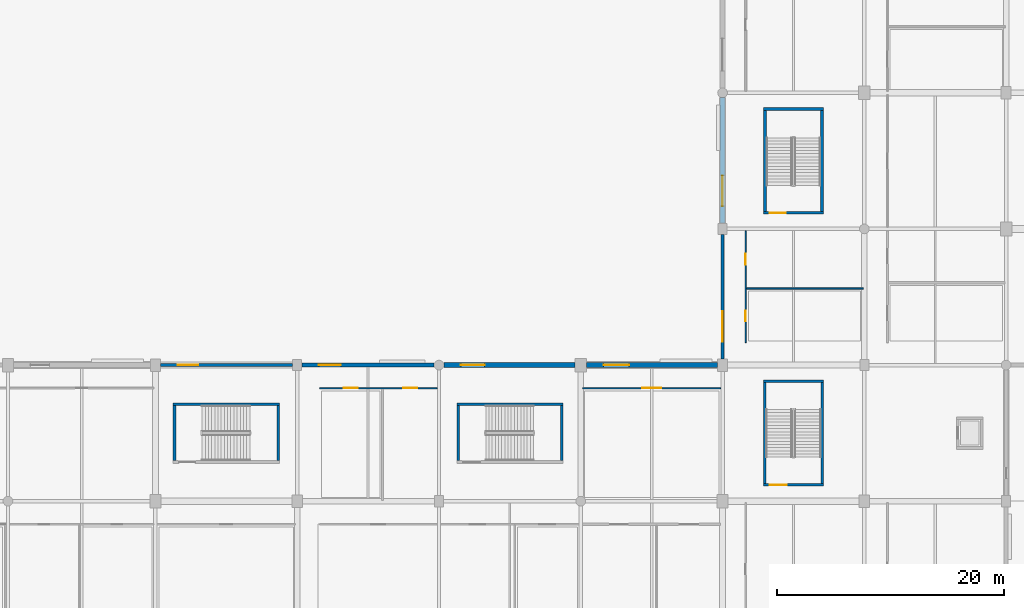
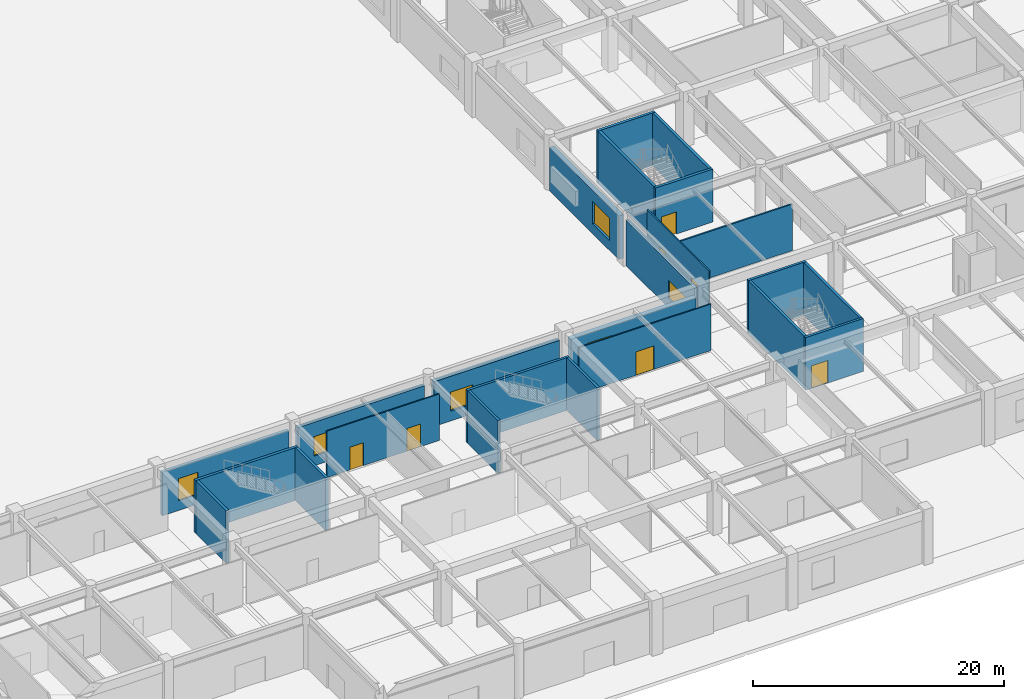
# One storey, part 23 of 69: 24 walls, 7 doors, 6 windows, 13 openings.
"""IFC4 building model written with IfcOpenShell, lengths in metres."""

from ifc_helpers import new_model, si_unit, direction, frame, frame_2d, origin, place, context, subcontext, project, spatial, rectangle, extrude, material, layer, layer_set, type_object, element, fill, save


model = new_model("IFC4")

# Units and contexts
model_context = context("Model", 3, precision=1e-05, world=origin(), true_north=direction((0.0, 1.0)))
body_context = subcontext(model_context, "Body", "Model", "MODEL_VIEW")
ifc_project = project(units=[si_unit("LENGTHUNIT", "METRE"), si_unit("AREAUNIT", "SQUARE_METRE"), si_unit("VOLUMEUNIT", "CUBIC_METRE"), si_unit("PLANEANGLEUNIT", "RADIAN"), si_unit("MASSUNIT", "GRAM", prefix="KILO")], contexts=[model_context])

# Site, building, storey
site_placement = place(None, origin())
site = spatial("IfcSite", under=ifc_project, at=site_placement, CompositionType="ELEMENT")
building_placement = place(site_placement, origin())
building = spatial("IfcBuilding", under=site, at=building_placement, Name="Kazenohara Klinker Stadium", CompositionType="ELEMENT")
storey_placement = place(building_placement, origin())
storey = spatial("IfcBuildingStorey", under=building, at=storey_placement, Name="L00", CompositionType="ELEMENT", Elevation=0.0)

# Wall, opening, door
ifc_material_1 = material(Name="Concrete C40/50", Category="concrete")
ifc_layer_1 = layer(ifc_material_1, 0.22998046875)
ifc_layer_set_1 = layer_set([ifc_layer_1], Name="Concrete C40/50")
wall_type_1 = type_object("IfcWallType", Name="WAL-CORE-230", PredefinedType="SHEAR", material=ifc_layer_set_1)
wall_1_placement = place(storey_placement, frame((178.590087890625, 25.43505859375, 0.0), z_axis=(0.0, 0.0, 1.0), x_axis=(1.0, 0.0, 0.0)))
wall_1 = element("IfcWall", 1, at=wall_1_placement, inside=storey, type_object=wall_type_1, Name="Stairwell shear wall ST16 L00 South", PredefinedType="SHEAR", context=body_context, shape_type="SweptSolid", body=[
    extrude(rectangle(XDim=5.31982421875, YDim=0.22998046875, at=frame_2d((2.659912109375, 0.0))), origin(), (0.0, 0.0, 1.0), 5.139892578125),
])
opening_1_placement = place(wall_1_placement, frame((0.550048828125, 0.0, 0.0)))
opening_1 = element("IfcOpeningElement", 2, at=opening_1_placement, cuts=wall_1, Name="Opening SD02", PredefinedType="OPENING", context=body_context, shape_type="SweptSolid", body=[
    extrude(rectangle(XDim=1.5, YDim=2.199951171875, at=frame_2d((0.75, 1.10009765625))), frame((0.0, 0.125, 0.0), z_axis=(0.0, -1.0, 0.0), x_axis=(1.0, 0.0, 0.0)), (0.0, 0.0, 1.0), 0.25),
])
ifc_material_2 = material(Name="Flush painted steel fire door leaf", Category="steel")
door_type_1 = type_object("IfcDoorType", Name="DR-STR-1500x2200", OperationType="NOTDEFINED", PredefinedType="DOOR", material=ifc_material_2)
door_1_placement = place(opening_1_placement, origin())
door_1 = element("IfcDoor", 3, at=door_1_placement, inside=storey, type_object=door_type_1, Name="Escape stairwell fire door ST16-L00", OperationType="SINGLE_SWING_LEFT", OverallHeight=2.199951171875, OverallWidth=1.5, PredefinedType="DOOR", context=body_context, shape_type="SweptSolid", body=[
    extrude(rectangle(XDim=1.5, YDim=2.199951171875, at=frame_2d((0.75, 1.10009765625))), frame((0.0, 0.02490234375, 0.0), z_axis=(0.0, -1.0, 0.0), x_axis=(1.0, 0.0, 0.0)), (0.0, 0.0, 1.0), 0.050048828125),
])
fill(opening_1, door_1)

# Walls
wall_2_placement = place(storey_placement, frame((178.590087890625, 34.56494140625, 0.0), z_axis=(0.0, 0.0, 1.0), x_axis=(1.0, 0.0, 0.0)))
element("IfcWall", 4, at=wall_2_placement, inside=storey, type_object=wall_type_1, Name="Stairwell shear wall ST16 L00 North", PredefinedType="SHEAR", context=body_context, shape_type="SweptSolid", body=[
    extrude(rectangle(XDim=5.31982421875, YDim=0.22998046875, at=frame_2d((2.659912109375, 0.0))), origin(), (0.0, 0.0, 1.0), 5.139892578125),
])
for number, where, z_axis, x_axis, name in (
    (5, (178.705078125, 25.550048828125, 0.0), (0.0, 0.0, 1.0), (0.0, 1.0, 0.0), "Stairwell shear wall ST16 L00 West"),
    (6, (183.794921875, 25.550048828125, 0.0), (0.0, 0.0, 1.0), (0.0, 1.0, 0.0), "Stairwell shear wall ST16 L00 East"),
):
    element("IfcWall", number, at=place(storey_placement, frame(where, z_axis=z_axis, x_axis=x_axis)), inside=storey, type_object=wall_type_1, Name=name, PredefinedType="SHEAR", context=body_context, shape_type="SweptSolid", body=[
        extrude(rectangle(XDim=8.89990234375, YDim=0.22998046875, at=frame_2d((4.449951171875, 0.0))), origin(), (0.0, 0.0, 1.0), 5.139892578125),
    ])
wall_3_placement = place(storey_placement, frame((151.570068359375, 32.544921875, 0.0), z_axis=(0.0, 0.0, 1.0), x_axis=(1.0, 0.0, 0.0)))
element("IfcWall", 7, at=wall_3_placement, inside=storey, type_object=wall_type_1, Name="Stairwell shear wall ST28 L00 North", PredefinedType="SHEAR", context=body_context, shape_type="SweptSolid", body=[
    extrude(rectangle(XDim=9.35986328125, YDim=0.22998046875, at=frame_2d((4.679931640625, 0.0))), origin(), (0.0, 0.0, 1.0), 5.139892578125),
])
for number, where, z_axis, x_axis, name in (
    (8, (151.68505859375, 27.570068359375, 0.0), (0.0, 0.0, 1.0), (0.0, 1.0, 0.0), "Stairwell shear wall ST28 L00 West"),
    (9, (160.81494140625, 27.570068359375, 0.0), (0.0, 0.0, 1.0), (0.0, 1.0, 0.0), "Stairwell shear wall ST28 L00 East"),
):
    element("IfcWall", number, at=place(storey_placement, frame(where, z_axis=z_axis, x_axis=x_axis)), inside=storey, type_object=wall_type_1, Name=name, PredefinedType="SHEAR", context=body_context, shape_type="SweptSolid", body=[
        extrude(rectangle(XDim=4.85986328125, YDim=0.22998046875, at=frame_2d((2.429931640625, 0.0))), origin(), (0.0, 0.0, 1.0), 5.139892578125),
    ])

# Wall, opening, door
ifc_layer_2 = layer(ifc_material_1, 0.25)
ifc_layer_set_2 = layer_set([ifc_layer_2], Name="Concrete C40/50")
wall_type_2 = type_object("IfcWallType", Name="WAL-CORE-250", PredefinedType="SHEAR", material=ifc_layer_set_2)
wall_4_placement = place(storey_placement, frame((178.610107421875, 49.425048828125, 0.0), z_axis=(0.0, 0.0, 1.0), x_axis=(1.0, 0.0, 0.0)))
wall_4 = element("IfcWall", 10, at=wall_4_placement, inside=storey, type_object=wall_type_2, Name="Stairwell shear wall ST21 L00 South", PredefinedType="SHEAR", context=body_context, shape_type="SweptSolid", body=[
    extrude(rectangle(XDim=5.27978515625, YDim=0.25, at=frame_2d((2.639892578125, 0.0))), origin(), (0.0, 0.0, 1.0), 5.139892578125),
])
opening_2_placement = place(wall_4_placement, frame((0.550048828125, 0.0, 0.0)))
opening_2 = element("IfcOpeningElement", 11, at=opening_2_placement, cuts=wall_4, Name="Opening SD01", PredefinedType="OPENING", context=body_context, shape_type="SweptSolid", body=[
    extrude(rectangle(XDim=1.39990234375, YDim=2.14990234375, at=frame_2d((0.699951171875, 1.074951171875))), frame((0.0, 0.135009765625, 0.0), z_axis=(0.0, -1.0, 0.0), x_axis=(1.0, 0.0, 0.0)), (0.0, 0.0, 1.0), 0.27001953125),
])
door_type_2 = type_object("IfcDoorType", Name="DR-STR-1400x2150", OperationType="NOTDEFINED", PredefinedType="DOOR", material=ifc_material_2)
door_2_placement = place(opening_2_placement, origin())
door_2 = element("IfcDoor", 12, at=door_2_placement, inside=storey, type_object=door_type_2, Name="Escape stairwell fire door ST21-L00", OperationType="SINGLE_SWING_LEFT", OverallHeight=2.14990234375, OverallWidth=1.39990234375, PredefinedType="DOOR", context=body_context, shape_type="SweptSolid", body=[
    extrude(rectangle(XDim=1.39990234375, YDim=2.14990234375, at=frame_2d((0.699951171875, 1.074951171875))), frame((0.0, 0.02490234375, 0.0), z_axis=(0.0, -1.0, 0.0), x_axis=(1.0, 0.0, 0.0)), (0.0, 0.0, 1.0), 0.050048828125),
])
fill(opening_2, door_2)

# Walls
wall_5_placement = place(storey_placement, frame((178.610107421875, 58.574951171875, 0.0), z_axis=(0.0, 0.0, 1.0), x_axis=(1.0, 0.0, 0.0)))
element("IfcWall", 13, at=wall_5_placement, inside=storey, type_object=wall_type_2, Name="Stairwell shear wall ST21 L00 North", PredefinedType="SHEAR", context=body_context, shape_type="SweptSolid", body=[
    extrude(rectangle(XDim=5.27978515625, YDim=0.25, at=frame_2d((2.639892578125, 0.0))), origin(), (0.0, 0.0, 1.0), 5.139892578125),
])
for number, where, z_axis, x_axis, name in (
    (14, (178.735107421875, 49.550048828125, 0.0), (0.0, 0.0, 1.0), (0.0, 1.0, 0.0), "Stairwell shear wall ST21 L00 West"),
    (15, (183.764892578125, 49.550048828125, 0.0), (0.0, 0.0, 1.0), (0.0, 1.0, 0.0), "Stairwell shear wall ST21 L00 East"),
):
    element("IfcWall", number, at=place(storey_placement, frame(where, z_axis=z_axis, x_axis=x_axis)), inside=storey, type_object=wall_type_2, Name=name, PredefinedType="SHEAR", context=body_context, shape_type="SweptSolid", body=[
        extrude(rectangle(XDim=8.89990234375, YDim=0.25, at=frame_2d((4.449951171875, 0.0))), origin(), (0.0, 0.0, 1.0), 5.139892578125),
    ])
wall_6_placement = place(storey_placement, frame((126.550048828125, 32.544921875, 0.0), z_axis=(0.0, 0.0, 1.0), x_axis=(1.0, 0.0, 0.0)))
element("IfcWall", 16, at=wall_6_placement, inside=storey, type_object=wall_type_2, Name="Stairwell shear wall ST27 L00 North", PredefinedType="SHEAR", context=body_context, shape_type="SweptSolid", body=[
    extrude(rectangle(XDim=9.39990234375, YDim=0.25, at=frame_2d((4.699951171875, 0.0))), origin(), (0.0, 0.0, 1.0), 5.139892578125),
])
for number, where, z_axis, x_axis, name in (
    (17, (126.675048828125, 27.580078125, 0.0), (0.0, 0.0, 1.0), (0.0, 1.0, 0.0), "Stairwell shear wall ST27 L00 West"),
    (18, (135.824951171875, 27.580078125, 0.0), (0.0, 0.0, 1.0), (0.0, 1.0, 0.0), "Stairwell shear wall ST27 L00 East"),
):
    element("IfcWall", number, at=place(storey_placement, frame(where, z_axis=z_axis, x_axis=x_axis)), inside=storey, type_object=wall_type_2, Name=name, PredefinedType="SHEAR", context=body_context, shape_type="SweptSolid", body=[
        extrude(rectangle(XDim=4.83984375, YDim=0.25, at=frame_2d((2.419921875, 0.0))), origin(), (0.0, 0.0, 1.0), 5.139892578125),
    ])

# Wall, opening, window
ifc_material_3 = material(Name="Clinker brick masonry", Category="masonry")
ifc_layer_3 = layer(ifc_material_3, 0.280029296875)
ifc_layer_set_3 = layer_set([ifc_layer_3], Name="Clinker brick masonry")
wall_type_3 = type_object("IfcWallType", Name="WAL-EXT-CB280", PredefinedType="SOLIDWALL", material=ifc_layer_set_3)
wall_7_placement = place(storey_placement, frame((125.4541015625, 36.0, 0.0), z_axis=(0.0, 0.0, 1.0), x_axis=(1.0, 0.0, 0.0)))
wall_7 = element("IfcWall", 19, at=wall_7_placement, inside=storey, type_object=wall_type_3, Name="Clinker brick cavity wall EW06 L00 X10-3", PredefinedType="SOLIDWALL", context=body_context, shape_type="SweptSolid", body=[
    extrude(rectangle(XDim=11.641845703125, YDim=0.280029296875, at=frame_2d((5.82080078125, 0.0))), origin(), (0.0, 0.0, 1.0), 4.239990234375),
])
opening_3_placement = place(wall_7_placement, frame((1.5, 0.0, 0.949951171875)))
opening_3 = element("IfcOpeningElement", 20, at=opening_3_placement, cuts=wall_7, Name="Opening W14", PredefinedType="OPENING", context=body_context, shape_type="SweptSolid", body=[
    extrude(rectangle(XDim=1.800048828125, YDim=2.14990234375, at=frame_2d((0.89990234375, 1.074951171875))), frame((0.0, 0.14990234375, 0.0), z_axis=(0.0, -1.0, 0.0), x_axis=(1.0, 0.0, 0.0)), (0.0, 0.0, 1.0), 0.300048828125),
])
ifc_material_4 = material(Name="Dark bronze aluminium frame and triple glazing", Category="aluminium")
window_type_1 = type_object("IfcWindowType", Name="WIN-AS-14", PartitioningType="SINGLE_PANEL", PredefinedType="WINDOW", material=ifc_material_4)
window_1_placement = place(opening_3_placement, origin())
window_1 = element("IfcWindow", 21, at=window_1_placement, inside=storey, type_object=window_type_1, Name="Horizontal-mullion ladder window W14 L00 X10-3", OverallHeight=2.14990234375, OverallWidth=1.800048828125, PartitioningType="SINGLE_PANEL", PredefinedType="WINDOW", context=body_context, shape_type="SweptSolid", body=[
    extrude(rectangle(XDim=1.800048828125, YDim=2.14990234375, at=frame_2d((0.89990234375, 1.074951171875))), frame((0.0, 0.030029296875, 0.0), z_axis=(0.0, -1.0, 0.0), x_axis=(1.0, 0.0, 0.0)), (0.0, 0.0, 1.0), 0.06005859375),
])
fill(opening_3, window_1)

wall_8_placement = place(storey_placement, frame((175.0, 36.553955078125, 0.0), z_axis=(0.0, 0.0, 1.0), x_axis=(0.0, 1.0, 0.0)))
wall_8 = element("IfcWall", 22, at=wall_8_placement, inside=storey, type_object=wall_type_3, Name="Clinker brick cavity wall EW06 L00 Y14-3", PredefinedType="SOLIDWALL", context=body_context, shape_type="SweptSolid", body=[
    extrude(rectangle(XDim=10.942138671875, YDim=0.280029296875, at=frame_2d((5.47119140625, 0.0))), origin(), (0.0, 0.0, 1.0), 4.43994140625),
])
opening_4_placement = place(wall_8_placement, frame((1.5, 0.0, 0.949951171875)))
opening_4 = element("IfcOpeningElement", 23, at=opening_4_placement, cuts=wall_8, Name="Opening W27", PredefinedType="OPENING", context=body_context, shape_type="SweptSolid", body=[
    extrude(rectangle(XDim=2.699951171875, YDim=1.75, at=frame_2d((1.35009765625, 0.875))), frame((0.0, 0.14990234375, 0.0), z_axis=(0.0, -1.0, 0.0), x_axis=(1.0, 0.0, 0.0)), (0.0, 0.0, 1.0), 0.300048828125),
])
window_type_2 = type_object("IfcWindowType", Name="WIN-AS-27", PartitioningType="SINGLE_PANEL", PredefinedType="WINDOW", material=ifc_material_4)
window_2_placement = place(opening_4_placement, origin())
window_2 = element("IfcWindow", 24, at=window_2_placement, inside=storey, type_object=window_type_2, Name="Horizontal-mullion ladder window W27 L00 Y14-3", OverallHeight=1.75, OverallWidth=2.699951171875, PartitioningType="SINGLE_PANEL", PredefinedType="WINDOW", context=body_context, shape_type="SweptSolid", body=[
    extrude(rectangle(XDim=2.699951171875, YDim=1.75, at=frame_2d((1.35009765625, 0.875))), frame((0.0, 0.030029296875, 0.0), z_axis=(0.0, -1.0, 0.0), x_axis=(1.0, 0.0, 0.0)), (0.0, 0.0, 1.0), 0.06005859375),
])
fill(opening_4, window_2)

ifc_layer_4 = layer(ifc_material_3, 0.340087890625)
ifc_layer_set_4 = layer_set([ifc_layer_4], Name="Clinker brick masonry")
wall_type_4 = type_object("IfcWallType", Name="WAL-EXT-CB340", PredefinedType="SOLIDWALL", material=ifc_layer_set_4)
wall_9_placement = place(storey_placement, frame((137.904052734375, 36.0, 0.0), z_axis=(0.0, 0.0, 1.0), x_axis=(1.0, 0.0, 0.0)))
wall_9 = element("IfcWall", 25, at=wall_9_placement, inside=storey, type_object=wall_type_4, Name="Clinker brick cavity wall EW04 L00 X11-3", PredefinedType="SOLIDWALL", context=body_context, shape_type="SweptSolid", body=[
    extrude(rectangle(XDim=11.6669921875, YDim=0.340087890625, at=frame_2d((5.83349609375, 0.0))), origin(), (0.0, 0.0, 1.0), 4.239990234375),
])
opening_5_placement = place(wall_9_placement, frame((1.5, 0.0, 0.949951171875)))
opening_5 = element("IfcOpeningElement", 26, at=opening_5_placement, cuts=wall_9, Name="Opening W16", PredefinedType="OPENING", context=body_context, shape_type="SweptSolid", body=[
    extrude(rectangle(XDim=1.949951171875, YDim=1.89990234375, at=frame_2d((0.97509765625, 0.949951171875))), frame((0.0, 0.18017578125, 0.0), z_axis=(0.0, -1.0, 0.0), x_axis=(1.0, 0.0, 0.0)), (0.0, 0.0, 1.0), 0.360107421875),
])
window_type_3 = type_object("IfcWindowType", Name="WIN-AS-16", PartitioningType="SINGLE_PANEL", PredefinedType="WINDOW", material=ifc_material_4)
window_3_placement = place(opening_5_placement, origin())
window_3 = element("IfcWindow", 27, at=window_3_placement, inside=storey, type_object=window_type_3, Name="Horizontal-mullion ladder window W16 L00 X11-3", OverallHeight=1.89990234375, OverallWidth=1.949951171875, PartitioningType="SINGLE_PANEL", PredefinedType="WINDOW", context=body_context, shape_type="SweptSolid", body=[
    extrude(rectangle(XDim=1.949951171875, YDim=1.89990234375, at=frame_2d((0.97509765625, 0.949951171875))), frame((0.0, 0.030029296875, 0.0), z_axis=(0.0, -1.0, 0.0), x_axis=(1.0, 0.0, 0.0)), (0.0, 0.0, 1.0), 0.06005859375),
])
fill(opening_5, window_3)

ifc_layer_5 = layer(ifc_material_3, 0.409912109375)
ifc_layer_set_5 = layer_set([ifc_layer_5], Name="Clinker brick masonry")
wall_type_5 = type_object("IfcWallType", Name="WAL-EXT-CB410", PredefinedType="SOLIDWALL", material=ifc_layer_set_5)
wall_10_placement = place(storey_placement, frame((150.428955078125, 36.0, 0.0), z_axis=(0.0, 0.0, 1.0), x_axis=(1.0, 0.0, 0.0)))
wall_10 = element("IfcWall", 28, at=wall_10_placement, inside=storey, type_object=wall_type_5, Name="Clinker brick cavity wall EW02 L00 X12-3", PredefinedType="SOLIDWALL", context=body_context, shape_type="SweptSolid", body=[
    extrude(rectangle(XDim=11.567138671875, YDim=0.409912109375, at=frame_2d((5.78369140625, 0.0))), origin(), (0.0, 0.0, 1.0), 4.340087890625),
])
opening_6_placement = place(wall_10_placement, frame((1.5, 0.0, 0.949951171875)))
opening_6 = element("IfcOpeningElement", 29, at=opening_6_placement, cuts=wall_10, Name="Opening W18", PredefinedType="OPENING", context=body_context, shape_type="SweptSolid", body=[
    extrude(rectangle(XDim=2.10009765625, YDim=1.85009765625, at=frame_2d((1.050048828125, 0.925048828125))), frame((0.0, 0.21484375, 0.0), z_axis=(0.0, -1.0, 0.0), x_axis=(1.0, 0.0, 0.0)), (0.0, 0.0, 1.0), 0.429931640625),
])
window_type_4 = type_object("IfcWindowType", Name="WIN-AS-18", PartitioningType="SINGLE_PANEL", PredefinedType="WINDOW", material=ifc_material_4)
window_4_placement = place(opening_6_placement, origin())
window_4 = element("IfcWindow", 30, at=window_4_placement, inside=storey, type_object=window_type_4, Name="Horizontal-mullion ladder window W18 L00 X12-3", OverallHeight=1.85009765625, OverallWidth=2.10009765625, PartitioningType="SINGLE_PANEL", PredefinedType="WINDOW", context=body_context, shape_type="SweptSolid", body=[
    extrude(rectangle(XDim=2.10009765625, YDim=1.85009765625, at=frame_2d((1.050048828125, 0.925048828125))), frame((0.0, 0.030029296875, 0.0), z_axis=(0.0, -1.0, 0.0), x_axis=(1.0, 0.0, 0.0)), (0.0, 0.0, 1.0), 0.06005859375),
])
fill(opening_6, window_4)

ifc_layer_6 = layer(ifc_material_3, 0.449951171875)
ifc_layer_set_6 = layer_set([ifc_layer_6], Name="Clinker brick masonry")
wall_type_6 = type_object("IfcWallType", Name="WAL-EXT-CB450", PredefinedType="SOLIDWALL", material=ifc_layer_set_6)
wall_11_placement = place(storey_placement, frame((163.00390625, 36.0, 0.0), z_axis=(0.0, 0.0, 1.0), x_axis=(1.0, 0.0, 0.0)))
wall_11 = element("IfcWall", 31, at=wall_11_placement, inside=storey, type_object=wall_type_6, Name="Clinker brick cavity wall EW01 L00 X13-3", PredefinedType="SOLIDWALL", context=body_context, shape_type="SweptSolid", body=[
    extrude(rectangle(XDim=11.5419921875, YDim=0.449951171875, at=frame_2d((5.77099609375, 0.0))), origin(), (0.0, 0.0, 1.0), 4.090087890625),
])
opening_7_placement = place(wall_11_placement, frame((1.5, 0.0, 0.949951171875)))
opening_7 = element("IfcOpeningElement", 32, at=opening_7_placement, cuts=wall_11, Name="Opening W22", PredefinedType="OPENING", context=body_context, shape_type="SweptSolid", body=[
    extrude(rectangle(XDim=2.25, YDim=2.199951171875, at=frame_2d((1.125, 1.10009765625))), frame((0.0, 0.23486328125, 0.0), z_axis=(0.0, -1.0, 0.0), x_axis=(1.0, 0.0, 0.0)), (0.0, 0.0, 1.0), 0.469970703125),
])
window_type_5 = type_object("IfcWindowType", Name="WIN-AS-22", PartitioningType="SINGLE_PANEL", PredefinedType="WINDOW", material=ifc_material_4)
window_5_placement = place(opening_7_placement, origin())
window_5 = element("IfcWindow", 33, at=window_5_placement, inside=storey, type_object=window_type_5, Name="Horizontal-mullion ladder window W22 L00 X13-3", OverallHeight=2.199951171875, OverallWidth=2.25, PartitioningType="SINGLE_PANEL", PredefinedType="WINDOW", context=body_context, shape_type="SweptSolid", body=[
    extrude(rectangle(XDim=2.25, YDim=2.199951171875, at=frame_2d((1.125, 1.10009765625))), frame((0.0, 0.030029296875, 0.0), z_axis=(0.0, -1.0, 0.0), x_axis=(1.0, 0.0, 0.0)), (0.0, 0.0, 1.0), 0.06005859375),
])
fill(opening_7, window_5)

wall_12_placement = place(storey_placement, frame((175.0, 48.50390625, 0.0), z_axis=(0.0, 0.0, 1.0), x_axis=(0.0, 1.0, 0.0)))
wall_12 = element("IfcWall", 34, at=wall_12_placement, inside=storey, type_object=wall_type_6, Name="Clinker brick cavity wall EW01 L00 Y14-4", PredefinedType="SOLIDWALL", context=body_context, shape_type="SweptSolid", body=[
    extrude(rectangle(XDim=11.067138671875, YDim=0.449951171875, at=frame_2d((5.53369140625, 0.0))), origin(), (0.0, 0.0, 1.0), 4.239990234375),
])
opening_8_placement = place(wall_12_placement, frame((1.5, 0.0, 0.949951171875)))
opening_8 = element("IfcOpeningElement", 35, at=opening_8_placement, cuts=wall_12, Name="Opening W28", PredefinedType="OPENING", context=body_context, shape_type="SweptSolid", body=[
    extrude(rectangle(XDim=2.699951171875, YDim=2.199951171875, at=frame_2d((1.35009765625, 1.10009765625))), frame((0.0, 0.23486328125, 0.0), z_axis=(0.0, -1.0, 0.0), x_axis=(1.0, 0.0, 0.0)), (0.0, 0.0, 1.0), 0.469970703125),
])
window_type_6 = type_object("IfcWindowType", Name="WIN-AS-28", PartitioningType="SINGLE_PANEL", PredefinedType="WINDOW", material=ifc_material_4)
window_6_placement = place(opening_8_placement, origin())
window_6 = element("IfcWindow", 36, at=window_6_placement, inside=storey, type_object=window_type_6, Name="Horizontal-mullion ladder window W28 L00 Y14-4", OverallHeight=2.199951171875, OverallWidth=2.699951171875, PartitioningType="SINGLE_PANEL", PredefinedType="WINDOW", context=body_context, shape_type="SweptSolid", body=[
    extrude(rectangle(XDim=2.699951171875, YDim=2.199951171875, at=frame_2d((1.35009765625, 1.10009765625))), frame((0.0, 0.030029296875, 0.0), z_axis=(0.0, -1.0, 0.0), x_axis=(1.0, 0.0, 0.0)), (0.0, 0.0, 1.0), 0.06005859375),
])
fill(opening_8, window_6)

# Wall, openings, doors
ifc_material_5 = material(Name="Fire-rated gypsum board on acoustic studs", Category="gypsum")
ifc_layer_7 = layer(ifc_material_5, 0.1201171875)
ifc_layer_set_7 = layer_set([ifc_layer_7], Name="Fire-rated gypsum board on acoustic studs")
wall_type_7 = type_object("IfcWallType", Name="WAL-INT-P120", PredefinedType="PARTITIONING", material=ifc_layer_set_7)
wall_13_placement = place(storey_placement, frame((139.469970703125, 33.9599609375, 0.0), z_axis=(0.0, 0.0, 1.0), x_axis=(1.0, 0.0, 0.0)))
wall_13 = element("IfcWall", 37, at=wall_13_placement, inside=storey, type_object=wall_type_7, Name="Interior partition wall PT02 SPC-L00-11-02-1-1", PredefinedType="PARTITIONING", context=body_context, shape_type="SweptSolid", body=[
    extrude(rectangle(XDim=10.3701171875, YDim=0.1201171875, at=frame_2d((5.18505859375, 0.0))), origin(), (0.0, 0.0, 1.0), 4.52001953125),
])
opening_9_placement = place(wall_13_placement, frame((3.35400390625, 0.0, 0.0), z_axis=(0.0, 0.0, 1.0), x_axis=(-1.0, 0.0, 0.0)))
opening_9 = element("IfcOpeningElement", 38, at=opening_9_placement, cuts=wall_13, Name="Opening ID13", PredefinedType="OPENING", context=body_context, shape_type="SweptSolid", body=[
    extrude(rectangle(XDim=1.239990234375, YDim=2.219970703125, at=frame_2d((0.6201171875, 1.10986328125))), frame((0.0, 0.070068359375, 0.0), z_axis=(0.0, -1.0, 0.0), x_axis=(1.0, 0.0, 0.0)), (0.0, 0.0, 1.0), 0.14013671875),
])
opening_10_placement = place(wall_13_placement, frame((8.634033203125, 0.0, 0.0), z_axis=(0.0, 0.0, 1.0), x_axis=(-1.0, 0.0, 0.0)))
opening_10 = element("IfcOpeningElement", 39, at=opening_10_placement, cuts=wall_13, Name="Opening ID14", PredefinedType="OPENING", context=body_context, shape_type="SweptSolid", body=[
    extrude(rectangle(XDim=1.27001953125, YDim=2.199951171875, at=frame_2d((0.635009765625, 1.10009765625))), frame((0.0, 0.070068359375, 0.0), z_axis=(0.0, -1.0, 0.0), x_axis=(1.0, 0.0, 0.0)), (0.0, 0.0, 1.0), 0.14013671875),
])
ifc_material_6 = material(Name="Solid-core Hokkaido oak fire door", Category="wood")
door_type_3 = type_object("IfcDoorType", Name="DR-INT-13", OperationType="NOTDEFINED", PredefinedType="DOOR", material=ifc_material_6)
door_3_placement = place(opening_9_placement, origin())
door_3 = element("IfcDoor", 40, at=door_3_placement, inside=storey, type_object=door_type_3, Name="Interior door ID13 Supporter Merchandising Retail Shop L00-1102A", OperationType="SINGLE_SWING_RIGHT", OverallHeight=2.219970703125, OverallWidth=1.239990234375, PredefinedType="DOOR", context=body_context, shape_type="SweptSolid", body=[
    extrude(rectangle(XDim=1.239990234375, YDim=2.219970703125, at=frame_2d((0.6201171875, 1.10986328125))), frame((0.0, 0.02490234375, 0.0), z_axis=(0.0, -1.0, 0.0), x_axis=(1.0, 0.0, 0.0)), (0.0, 0.0, 1.0), 0.050048828125),
])
fill(opening_9, door_3)
door_type_4 = type_object("IfcDoorType", Name="DR-INT-14", OperationType="NOTDEFINED", PredefinedType="DOOR", material=ifc_material_6)
door_4_placement = place(opening_10_placement, origin())
door_4 = element("IfcDoor", 41, at=door_4_placement, inside=storey, type_object=door_type_4, Name="Interior door ID14 Concourse Craft Beverage Tavern L00-1102B", OperationType="SINGLE_SWING_LEFT", OverallHeight=2.199951171875, OverallWidth=1.27001953125, PredefinedType="DOOR", context=body_context, shape_type="SweptSolid", body=[
    extrude(rectangle(XDim=1.27001953125, YDim=2.199951171875, at=frame_2d((0.635009765625, 1.10009765625))), frame((0.0, 0.02490234375, 0.0), z_axis=(0.0, -1.0, 0.0), x_axis=(1.0, 0.0, 0.0)), (0.0, 0.0, 1.0), 0.050048828125),
])
fill(opening_10, door_4)

# Wall, opening, door
wall_14_placement = place(storey_placement, frame((162.659912109375, 33.9599609375, 0.0), z_axis=(0.0, 0.0, 1.0), x_axis=(1.0, 0.0, 0.0)))
wall_14 = element("IfcWall", 42, at=wall_14_placement, inside=storey, type_object=wall_type_7, Name="Interior partition wall PT02 SPC-L00-13-02-1-1", PredefinedType="PARTITIONING", context=body_context, shape_type="SweptSolid", body=[
    extrude(rectangle(XDim=12.18017578125, YDim=0.1201171875, at=frame_2d((6.090087890625, 0.0))), origin(), (0.0, 0.0, 1.0), 4.52001953125),
])
opening_11_placement = place(wall_14_placement, frame((6.914794921875, 0.0, 0.0), z_axis=(0.0, 0.0, 1.0), x_axis=(-1.0, 0.0, 0.0)))
opening_11 = element("IfcOpeningElement", 43, at=opening_11_placement, cuts=wall_14, Name="Opening ID24", PredefinedType="OPENING", context=body_context, shape_type="SweptSolid", body=[
    extrude(rectangle(XDim=1.64990234375, YDim=2.280029296875, at=frame_2d((0.824951171875, 1.14013671875))), frame((0.0, 0.070068359375, 0.0), z_axis=(0.0, -1.0, 0.0), x_axis=(1.0, 0.0, 0.0)), (0.0, 0.0, 1.0), 0.14013671875),
])
ifc_material_7 = material(Name="Painted steel plant fire door", Category="steel")
door_type_5 = type_object("IfcDoorType", Name="DR-INT-24", OperationType="NOTDEFINED", PredefinedType="DOOR", material=ifc_material_7)
door_5_placement = place(opening_11_placement, origin())
door_5 = element("IfcDoor", 44, at=door_5_placement, inside=storey, type_object=door_type_5, Name="Interior door ID24 Supporter Merchandising Retail Shop L00-1302A", OperationType="SINGLE_SWING_LEFT", OverallHeight=2.280029296875, OverallWidth=1.64990234375, PredefinedType="DOOR", context=body_context, shape_type="SweptSolid", body=[
    extrude(rectangle(XDim=1.64990234375, YDim=2.280029296875, at=frame_2d((0.824951171875, 1.14013671875))), frame((0.0, 0.02490234375, 0.0), z_axis=(0.0, -1.0, 0.0), x_axis=(1.0, 0.0, 0.0)), (0.0, 0.0, 1.0), 0.050048828125),
])
fill(opening_11, door_5)

# Wall, openings, doors
wall_15_placement = place(storey_placement, frame((177.0400390625, 37.969970703125, 0.0), z_axis=(0.0, 0.0, 1.0), x_axis=(0.0, 1.0, 0.0)))
wall_15 = element("IfcWall", 45, at=wall_15_placement, inside=storey, type_object=wall_type_7, Name="Interior partition wall PT02 SPC-L00-14-03-1-1", PredefinedType="PARTITIONING", context=body_context, shape_type="SweptSolid", body=[
    extrude(rectangle(XDim=9.8701171875, YDim=0.1201171875, at=frame_2d((4.93505859375, 0.0))), origin(), (0.0, 0.0, 1.0), 4.52001953125),
])
opening_12_placement = place(wall_15_placement, frame((2.828369140625, 0.0, 0.0), z_axis=(0.0, 0.0, 1.0), x_axis=(-1.0, 0.0, 0.0)))
opening_12 = element("IfcOpeningElement", 46, at=opening_12_placement, cuts=wall_15, Name="Opening ID03", PredefinedType="OPENING", context=body_context, shape_type="SweptSolid", body=[
    extrude(rectangle(XDim=0.949951171875, YDim=2.1201171875, at=frame_2d((0.47509765625, 1.06005859375))), frame((0.0, 0.070068359375, 0.0), z_axis=(0.0, -1.0, 0.0), x_axis=(1.0, 0.0, 0.0)), (0.0, 0.0, 1.0), 0.14013671875),
])
opening_13_placement = place(wall_15_placement, frame((7.8583984375, 0.0, 0.0), z_axis=(0.0, 0.0, 1.0), x_axis=(-1.0, 0.0, 0.0)))
opening_13 = element("IfcOpeningElement", 47, at=opening_13_placement, cuts=wall_15, Name="Opening ID04", PredefinedType="OPENING", context=body_context, shape_type="SweptSolid", body=[
    extrude(rectangle(XDim=0.97998046875, YDim=2.10009765625, at=frame_2d((0.489990234375, 1.050048828125))), frame((0.0, 0.070068359375, 0.0), z_axis=(0.0, -1.0, 0.0), x_axis=(1.0, 0.0, 0.0)), (0.0, 0.0, 1.0), 0.14013671875),
])
door_type_6 = type_object("IfcDoorType", Name="DR-INT-03", OperationType="NOTDEFINED", PredefinedType="DOOR", material=ifc_material_6)
door_6_placement = place(opening_12_placement, origin())
door_6 = element("IfcDoor", 48, at=door_6_placement, inside=storey, type_object=door_type_6, Name="Interior door ID03 Civic Stadium Heritage Museum Exhibition Gallery L00-1403A", OperationType="SINGLE_SWING_RIGHT", OverallHeight=2.1201171875, OverallWidth=0.949951171875, PredefinedType="DOOR", context=body_context, shape_type="SweptSolid", body=[
    extrude(rectangle(XDim=0.949951171875, YDim=2.1201171875, at=frame_2d((0.47509765625, 1.06005859375))), frame((0.0, 0.02490234375, 0.0), z_axis=(0.0, -1.0, 0.0), x_axis=(1.0, 0.0, 0.0)), (0.0, 0.0, 1.0), 0.050048828125),
])
fill(opening_12, door_6)
door_type_7 = type_object("IfcDoorType", Name="DR-INT-04", OperationType="NOTDEFINED", PredefinedType="DOOR", material=ifc_material_6)
door_7_placement = place(opening_13_placement, origin())
door_7 = element("IfcDoor", 49, at=door_7_placement, inside=storey, type_object=door_type_7, Name="Interior door ID04 Street-Front Bakery and Cafe Restaurant L00-1403B", OperationType="SINGLE_SWING_LEFT", OverallHeight=2.10009765625, OverallWidth=0.97998046875, PredefinedType="DOOR", context=body_context, shape_type="SweptSolid", body=[
    extrude(rectangle(XDim=0.97998046875, YDim=2.10009765625, at=frame_2d((0.489990234375, 1.050048828125))), frame((0.0, 0.02490234375, 0.0), z_axis=(0.0, -1.0, 0.0), x_axis=(1.0, 0.0, 0.0)), (0.0, 0.0, 1.0), 0.050048828125),
])
fill(opening_13, door_7)

# Wall
ifc_layer_8 = layer(ifc_material_5, 0.139892578125)
ifc_layer_set_8 = layer_set([ifc_layer_8], Name="Fire-rated gypsum board on acoustic studs")
wall_type_8 = type_object("IfcWallType", Name="WAL-INT-P140", PredefinedType="PARTITIONING", material=ifc_layer_set_8)
wall_16_placement = place(storey_placement, frame((177.10498046875, 42.757080078125, 0.0), z_axis=(0.0, 0.0, 1.0), x_axis=(1.0, 0.0, 0.0)))
element("IfcWall", 50, at=wall_16_placement, inside=storey, type_object=wall_type_8, Name="Interior partition wall PT03 SPC-L00-14-03-1-2", PredefinedType="PARTITIONING", context=body_context, shape_type="SweptSolid", body=[
    extrude(rectangle(XDim=10.31494140625, YDim=0.139892578125, at=frame_2d((5.157470703125, 0.0))), origin(), (0.0, 0.0, 1.0), 4.52001953125),
])

save(model, "model.ifc")
